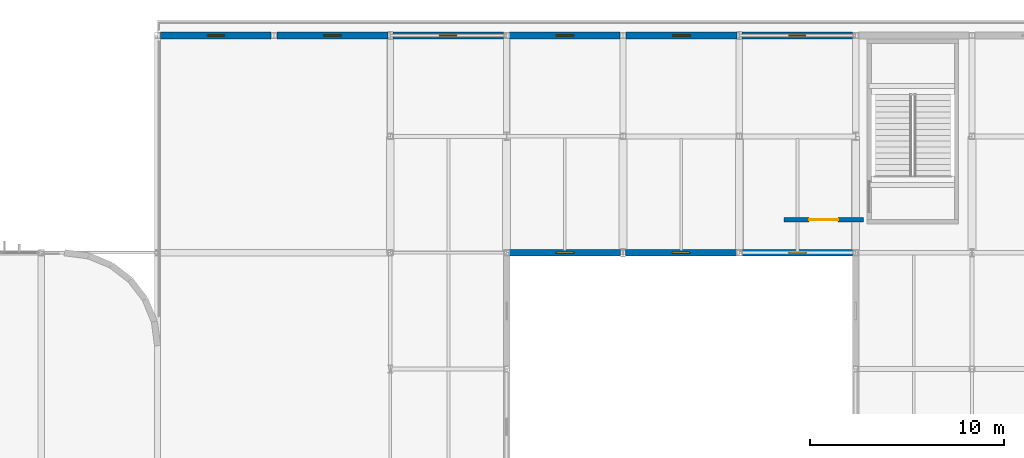
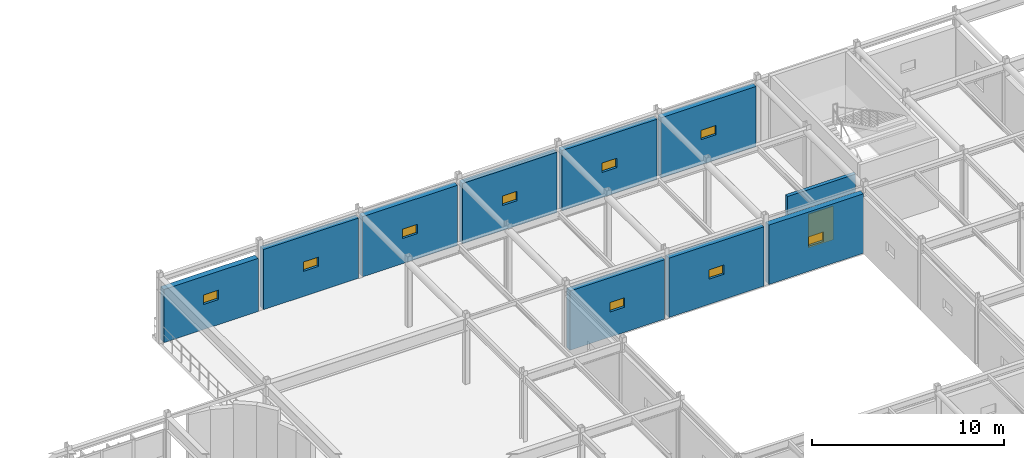
# One storey, part 69 of 96: 10 walls, 9 windows, 1 door, 10 openings.
"""IFC4 building model written with IfcOpenShell, lengths in metres."""

from ifc_helpers import new_model, si_unit, direction, frame, frame_2d, origin, place, context, subcontext, project, spatial, rectangle, extrude, material, layer, layer_set, type_object, element, fill, save


model = new_model("IFC4")

# Units and contexts
model_context = context("Model", 3, precision=1e-05, world=origin(), true_north=direction((0.0, 1.0)))
body_context = subcontext(model_context, "Body", "Model", "MODEL_VIEW")
ifc_project = project(units=[si_unit("LENGTHUNIT", "METRE"), si_unit("AREAUNIT", "SQUARE_METRE"), si_unit("VOLUMEUNIT", "CUBIC_METRE"), si_unit("PLANEANGLEUNIT", "RADIAN"), si_unit("MASSUNIT", "GRAM", prefix="KILO")], contexts=[model_context])

# Site, building, storey
site_placement = place(None, origin())
site = spatial("IfcSite", under=ifc_project, at=site_placement, CompositionType="ELEMENT")
building_placement = place(site_placement, origin())
building = spatial("IfcBuilding", under=site, at=building_placement, Name="Varnakota Square Police Headquarters", CompositionType="ELEMENT")
storey_placement = place(building_placement, frame((0.0, 0.0, 4.800048828125)))
storey = spatial("IfcBuildingStorey", under=building, at=storey_placement, Name="L01", CompositionType="ELEMENT", Elevation=4.800048828125)

# Wall, opening, window
ifc_material_1 = material(Name="Concrete M40", Category="concrete")
ifc_layer_1 = layer(ifc_material_1, 0.340087890625, Name="Concrete M40")
ifc_layer_set_1 = layer_set([ifc_layer_1], Name="Concrete M40")
wall_type_1 = type_object("IfcWallType", Name="WL-EXT-340", PredefinedType="SOLIDWALL", material=ifc_layer_set_1)
wall_1_placement = place(storey_placement, frame((96.154052734375, 110.199951171875, 0.0), z_axis=(0.0, 0.0, 1.0), x_axis=(1.0, 0.0, 0.0)))
wall_1 = element("IfcWall", 1, at=wall_1_placement, inside=storey, type_object=wall_type_1, Name="Exterior wall EW-L01-0690", PredefinedType="SOLIDWALL", context=body_context, shape_type="SweptSolid", body=[
    extrude(rectangle(XDim=5.69189453125, YDim=0.340087890625, at=frame_2d((2.845947265625, 0.0))), origin(), (0.0, 0.0, 1.0), 3.389892578125),
])
opening_1_placement = place(wall_1_placement, frame((2.39599609375, 0.0, 1.60009765625)))
opening_1 = element("IfcOpeningElement", 2, at=opening_1_placement, cuts=wall_1, Name="Opening W13", PredefinedType="OPENING", context=body_context, shape_type="SweptSolid", body=[
    extrude(rectangle(XDim=0.89990234375, YDim=0.60009765625, at=frame_2d((0.449951171875, 0.300048828125))), frame((0.0, 0.179931640625, 0.0), z_axis=(0.0, -1.0, 0.0), x_axis=(1.0, 0.0, 0.0)), (0.0, 0.0, 1.0), 0.360107421875),
])
ifc_material_2 = material(Name="Thermally Broken Aluminium Double-Glazed Window", Category="aluminium")
window_type = type_object("IfcWindowType", Name="WIN-13", PartitioningType="SINGLE_PANEL", PredefinedType="WINDOW", material=ifc_material_2)
window_1_placement = place(opening_1_placement, origin())
window_1 = element("IfcWindow", 3, at=window_1_placement, inside=storey, type_object=window_type, Name="Window WN-L01-0196", OverallHeight=0.60009765625, OverallWidth=0.89990234375, PartitioningType="SINGLE_PANEL", PredefinedType="WINDOW", context=body_context, shape_type="SweptSolid", body=[
    extrude(rectangle(XDim=0.89990234375, YDim=0.60009765625, at=frame_2d((0.449951171875, 0.300048828125))), frame((0.0, 0.030029296875, 0.0), z_axis=(0.0, -1.0, 0.0), x_axis=(1.0, 0.0, 0.0)), (0.0, 0.0, 1.0), 0.06005859375),
])
fill(opening_1, window_1)

wall_2_placement = place(storey_placement, frame((102.154052734375, 110.199951171875, 0.0), z_axis=(0.0, 0.0, 1.0), x_axis=(1.0, 0.0, 0.0)))
wall_2 = element("IfcWall", 4, at=wall_2_placement, inside=storey, type_object=wall_type_1, Name="Exterior wall EW-L01-0691", PredefinedType="SOLIDWALL", context=body_context, shape_type="SweptSolid", body=[
    extrude(rectangle(XDim=5.717041015625, YDim=0.340087890625, at=frame_2d((2.8583984375, 0.0))), origin(), (0.0, 0.0, 1.0), 3.83984375),
])
opening_2_placement = place(wall_2_placement, frame((2.408447265625, 0.0, 1.60009765625)))
opening_2 = element("IfcOpeningElement", 5, at=opening_2_placement, cuts=wall_2, Name="Opening W13", PredefinedType="OPENING", context=body_context, shape_type="SweptSolid", body=[
    extrude(rectangle(XDim=0.89990234375, YDim=0.60009765625, at=frame_2d((0.449951171875, 0.300048828125))), frame((0.0, 0.179931640625, 0.0), z_axis=(0.0, -1.0, 0.0), x_axis=(1.0, 0.0, 0.0)), (0.0, 0.0, 1.0), 0.360107421875),
])
window_2_placement = place(opening_2_placement, origin())
window_2 = element("IfcWindow", 6, at=window_2_placement, inside=storey, type_object=window_type, Name="Window WN-L01-0197", OverallHeight=0.60009765625, OverallWidth=0.89990234375, PartitioningType="SINGLE_PANEL", PredefinedType="WINDOW", context=body_context, shape_type="SweptSolid", body=[
    extrude(rectangle(XDim=0.89990234375, YDim=0.60009765625, at=frame_2d((0.449951171875, 0.300048828125))), frame((0.0, 0.030029296875, 0.0), z_axis=(0.0, -1.0, 0.0), x_axis=(1.0, 0.0, 0.0)), (0.0, 0.0, 1.0), 0.06005859375),
])
fill(opening_2, window_2)

wall_3_placement = place(storey_placement, frame((108.12890625, 110.199951171875, 0.0), z_axis=(0.0, 0.0, 1.0), x_axis=(1.0, 0.0, 0.0)))
wall_3 = element("IfcWall", 7, at=wall_3_placement, inside=storey, type_object=wall_type_1, Name="Exterior wall EW-L01-0692", PredefinedType="SOLIDWALL", context=body_context, shape_type="SweptSolid", body=[
    extrude(rectangle(XDim=5.717041015625, YDim=0.340087890625, at=frame_2d((2.8583984375, 0.0))), origin(), (0.0, 0.0, 1.0), 3.83984375),
])
opening_3_placement = place(wall_3_placement, frame((2.408447265625, 0.0, 1.60009765625)))
opening_3 = element("IfcOpeningElement", 8, at=opening_3_placement, cuts=wall_3, Name="Opening W13", PredefinedType="OPENING", context=body_context, shape_type="SweptSolid", body=[
    extrude(rectangle(XDim=0.89990234375, YDim=0.60009765625, at=frame_2d((0.449951171875, 0.300048828125))), frame((0.0, 0.179931640625, 0.0), z_axis=(0.0, -1.0, 0.0), x_axis=(1.0, 0.0, 0.0)), (0.0, 0.0, 1.0), 0.360107421875),
])
window_3_placement = place(opening_3_placement, origin())
window_3 = element("IfcWindow", 9, at=window_3_placement, inside=storey, type_object=window_type, Name="Window WN-L01-0198", OverallHeight=0.60009765625, OverallWidth=0.89990234375, PartitioningType="SINGLE_PANEL", PredefinedType="WINDOW", context=body_context, shape_type="SweptSolid", body=[
    extrude(rectangle(XDim=0.89990234375, YDim=0.60009765625, at=frame_2d((0.449951171875, 0.300048828125))), frame((0.0, 0.030029296875, 0.0), z_axis=(0.0, -1.0, 0.0), x_axis=(1.0, 0.0, 0.0)), (0.0, 0.0, 1.0), 0.06005859375),
])
fill(opening_3, window_3)

wall_4_placement = place(storey_placement, frame((114.154052734375, 110.199951171875, 0.0), z_axis=(0.0, 0.0, 1.0), x_axis=(1.0, 0.0, 0.0)))
wall_4 = element("IfcWall", 10, at=wall_4_placement, inside=storey, type_object=wall_type_1, Name="Exterior wall EW-L01-0693", PredefinedType="SOLIDWALL", context=body_context, shape_type="SweptSolid", body=[
    extrude(rectangle(XDim=5.69189453125, YDim=0.340087890625, at=frame_2d((2.845947265625, 0.0))), origin(), (0.0, 0.0, 1.0), 3.83984375),
])
opening_4_placement = place(wall_4_placement, frame((2.39599609375, 0.0, 1.60009765625)))
opening_4 = element("IfcOpeningElement", 11, at=opening_4_placement, cuts=wall_4, Name="Opening W13", PredefinedType="OPENING", context=body_context, shape_type="SweptSolid", body=[
    extrude(rectangle(XDim=0.89990234375, YDim=0.60009765625, at=frame_2d((0.449951171875, 0.300048828125))), frame((0.0, 0.179931640625, 0.0), z_axis=(0.0, -1.0, 0.0), x_axis=(1.0, 0.0, 0.0)), (0.0, 0.0, 1.0), 0.360107421875),
])
window_4_placement = place(opening_4_placement, origin())
window_4 = element("IfcWindow", 12, at=window_4_placement, inside=storey, type_object=window_type, Name="Window WN-L01-0199", OverallHeight=0.60009765625, OverallWidth=0.89990234375, PartitioningType="SINGLE_PANEL", PredefinedType="WINDOW", context=body_context, shape_type="SweptSolid", body=[
    extrude(rectangle(XDim=0.89990234375, YDim=0.60009765625, at=frame_2d((0.449951171875, 0.300048828125))), frame((0.0, 0.030029296875, 0.0), z_axis=(0.0, -1.0, 0.0), x_axis=(1.0, 0.0, 0.0)), (0.0, 0.0, 1.0), 0.06005859375),
])
fill(opening_4, window_4)

wall_5_placement = place(storey_placement, frame((120.154052734375, 110.199951171875, 0.0), z_axis=(0.0, 0.0, 1.0), x_axis=(1.0, 0.0, 0.0)))
wall_5 = element("IfcWall", 13, at=wall_5_placement, inside=storey, type_object=wall_type_1, Name="Exterior wall EW-L01-0694", PredefinedType="SOLIDWALL", context=body_context, shape_type="SweptSolid", body=[
    extrude(rectangle(XDim=5.717041015625, YDim=0.340087890625, at=frame_2d((2.8583984375, 0.0))), origin(), (0.0, 0.0, 1.0), 3.83984375),
])
opening_5_placement = place(wall_5_placement, frame((2.408447265625, 0.0, 1.60009765625)))
opening_5 = element("IfcOpeningElement", 14, at=opening_5_placement, cuts=wall_5, Name="Opening W13", PredefinedType="OPENING", context=body_context, shape_type="SweptSolid", body=[
    extrude(rectangle(XDim=0.89990234375, YDim=0.60009765625, at=frame_2d((0.449951171875, 0.300048828125))), frame((0.0, 0.179931640625, 0.0), z_axis=(0.0, -1.0, 0.0), x_axis=(1.0, 0.0, 0.0)), (0.0, 0.0, 1.0), 0.360107421875),
])
window_5_placement = place(opening_5_placement, origin())
window_5 = element("IfcWindow", 15, at=window_5_placement, inside=storey, type_object=window_type, Name="Window WN-L01-0200", OverallHeight=0.60009765625, OverallWidth=0.89990234375, PartitioningType="SINGLE_PANEL", PredefinedType="WINDOW", context=body_context, shape_type="SweptSolid", body=[
    extrude(rectangle(XDim=0.89990234375, YDim=0.60009765625, at=frame_2d((0.449951171875, 0.300048828125))), frame((0.0, 0.030029296875, 0.0), z_axis=(0.0, -1.0, 0.0), x_axis=(1.0, 0.0, 0.0)), (0.0, 0.0, 1.0), 0.06005859375),
])
fill(opening_5, window_5)

wall_6_placement = place(storey_placement, frame((126.12890625, 110.199951171875, 0.0), z_axis=(0.0, 0.0, 1.0), x_axis=(1.0, 0.0, 0.0)))
wall_6 = element("IfcWall", 16, at=wall_6_placement, inside=storey, type_object=wall_type_1, Name="Exterior wall EW-L01-0695", PredefinedType="SOLIDWALL", context=body_context, shape_type="SweptSolid", body=[
    extrude(rectangle(XDim=5.717041015625, YDim=0.340087890625, at=frame_2d((2.8583984375, 0.0))), origin(), (0.0, 0.0, 1.0), 3.83984375),
])
opening_6_placement = place(wall_6_placement, frame((2.408447265625, 0.0, 1.60009765625)))
opening_6 = element("IfcOpeningElement", 17, at=opening_6_placement, cuts=wall_6, Name="Opening W13", PredefinedType="OPENING", context=body_context, shape_type="SweptSolid", body=[
    extrude(rectangle(XDim=0.89990234375, YDim=0.60009765625, at=frame_2d((0.449951171875, 0.300048828125))), frame((0.0, 0.179931640625, 0.0), z_axis=(0.0, -1.0, 0.0), x_axis=(1.0, 0.0, 0.0)), (0.0, 0.0, 1.0), 0.360107421875),
])
window_6_placement = place(opening_6_placement, origin())
window_6 = element("IfcWindow", 18, at=window_6_placement, inside=storey, type_object=window_type, Name="Window WN-L01-0201", OverallHeight=0.60009765625, OverallWidth=0.89990234375, PartitioningType="SINGLE_PANEL", PredefinedType="WINDOW", context=body_context, shape_type="SweptSolid", body=[
    extrude(rectangle(XDim=0.89990234375, YDim=0.60009765625, at=frame_2d((0.449951171875, 0.300048828125))), frame((0.0, 0.030029296875, 0.0), z_axis=(0.0, -1.0, 0.0), x_axis=(1.0, 0.0, 0.0)), (0.0, 0.0, 1.0), 0.06005859375),
])
fill(opening_6, window_6)

wall_7_placement = place(storey_placement, frame((114.154052734375, 99.0, 0.0), z_axis=(0.0, 0.0, 1.0), x_axis=(1.0, 0.0, 0.0)))
wall_7 = element("IfcWall", 19, at=wall_7_placement, inside=storey, type_object=wall_type_1, Name="Exterior wall EW-L01-0714", PredefinedType="SOLIDWALL", context=body_context, shape_type="SweptSolid", body=[
    extrude(rectangle(XDim=5.717041015625, YDim=0.340087890625, at=frame_2d((2.8583984375, 0.0))), origin(), (0.0, 0.0, 1.0), 3.783447265625),
])
opening_7_placement = place(wall_7_placement, frame((2.408447265625, 0.0, 1.60009765625)))
opening_7 = element("IfcOpeningElement", 20, at=opening_7_placement, cuts=wall_7, Name="Opening W13", PredefinedType="OPENING", context=body_context, shape_type="SweptSolid", body=[
    extrude(rectangle(XDim=0.89990234375, YDim=0.60009765625, at=frame_2d((0.449951171875, 0.300048828125))), frame((0.0, 0.179931640625, 0.0), z_axis=(0.0, -1.0, 0.0), x_axis=(1.0, 0.0, 0.0)), (0.0, 0.0, 1.0), 0.360107421875),
])
window_7_placement = place(opening_7_placement, origin())
window_7 = element("IfcWindow", 21, at=window_7_placement, inside=storey, type_object=window_type, Name="Window WN-L01-0217", OverallHeight=0.60009765625, OverallWidth=0.89990234375, PartitioningType="SINGLE_PANEL", PredefinedType="WINDOW", context=body_context, shape_type="SweptSolid", body=[
    extrude(rectangle(XDim=0.89990234375, YDim=0.60009765625, at=frame_2d((0.449951171875, 0.300048828125))), frame((0.0, 0.030029296875, 0.0), z_axis=(0.0, -1.0, 0.0), x_axis=(1.0, 0.0, 0.0)), (0.0, 0.0, 1.0), 0.06005859375),
])
fill(opening_7, window_7)

wall_8_placement = place(storey_placement, frame((120.12890625, 99.0, 0.0), z_axis=(0.0, 0.0, 1.0), x_axis=(1.0, 0.0, 0.0)))
wall_8 = element("IfcWall", 22, at=wall_8_placement, inside=storey, type_object=wall_type_1, Name="Exterior wall EW-L01-0716", PredefinedType="SOLIDWALL", context=body_context, shape_type="SweptSolid", body=[
    extrude(rectangle(XDim=5.717041015625, YDim=0.340087890625, at=frame_2d((2.8583984375, 0.0))), origin(), (0.0, 0.0, 1.0), 3.783447265625),
])
opening_8_placement = place(wall_8_placement, frame((2.408447265625, 0.0, 1.60009765625)))
opening_8 = element("IfcOpeningElement", 23, at=opening_8_placement, cuts=wall_8, Name="Opening W13", PredefinedType="OPENING", context=body_context, shape_type="SweptSolid", body=[
    extrude(rectangle(XDim=0.89990234375, YDim=0.60009765625, at=frame_2d((0.449951171875, 0.300048828125))), frame((0.0, 0.179931640625, 0.0), z_axis=(0.0, -1.0, 0.0), x_axis=(1.0, 0.0, 0.0)), (0.0, 0.0, 1.0), 0.360107421875),
])
window_8_placement = place(opening_8_placement, origin())
window_8 = element("IfcWindow", 24, at=window_8_placement, inside=storey, type_object=window_type, Name="Window WN-L01-0219", OverallHeight=0.60009765625, OverallWidth=0.89990234375, PartitioningType="SINGLE_PANEL", PredefinedType="WINDOW", context=body_context, shape_type="SweptSolid", body=[
    extrude(rectangle(XDim=0.89990234375, YDim=0.60009765625, at=frame_2d((0.449951171875, 0.300048828125))), frame((0.0, 0.030029296875, 0.0), z_axis=(0.0, -1.0, 0.0), x_axis=(1.0, 0.0, 0.0)), (0.0, 0.0, 1.0), 0.06005859375),
])
fill(opening_8, window_8)

wall_9_placement = place(storey_placement, frame((126.154052734375, 99.0, 0.0), z_axis=(0.0, 0.0, 1.0), x_axis=(1.0, 0.0, 0.0)))
wall_9 = element("IfcWall", 25, at=wall_9_placement, inside=storey, type_object=wall_type_1, Name="Exterior wall EW-L01-0718", PredefinedType="SOLIDWALL", context=body_context, shape_type="SweptSolid", body=[
    extrude(rectangle(XDim=5.69189453125, YDim=0.340087890625, at=frame_2d((2.845947265625, 0.0))), origin(), (0.0, 0.0, 1.0), 3.783447265625),
])
opening_9_placement = place(wall_9_placement, frame((2.39599609375, 0.0, 1.60009765625)))
opening_9 = element("IfcOpeningElement", 26, at=opening_9_placement, cuts=wall_9, Name="Opening W13", PredefinedType="OPENING", context=body_context, shape_type="SweptSolid", body=[
    extrude(rectangle(XDim=0.89990234375, YDim=0.60009765625, at=frame_2d((0.449951171875, 0.300048828125))), frame((0.0, 0.179931640625, 0.0), z_axis=(0.0, -1.0, 0.0), x_axis=(1.0, 0.0, 0.0)), (0.0, 0.0, 1.0), 0.360107421875),
])
window_9_placement = place(opening_9_placement, origin())
window_9 = element("IfcWindow", 27, at=window_9_placement, inside=storey, type_object=window_type, Name="Window WN-L01-0221", OverallHeight=0.60009765625, OverallWidth=0.89990234375, PartitioningType="SINGLE_PANEL", PredefinedType="WINDOW", context=body_context, shape_type="SweptSolid", body=[
    extrude(rectangle(XDim=0.89990234375, YDim=0.60009765625, at=frame_2d((0.449951171875, 0.300048828125))), frame((0.0, 0.030029296875, 0.0), z_axis=(0.0, -1.0, 0.0), x_axis=(1.0, 0.0, 0.0)), (0.0, 0.0, 1.0), 0.06005859375),
])
fill(opening_9, window_9)

# Wall, opening, door
ifc_layer_2 = layer(ifc_material_1, 0.215087890625, Name="Concrete M40")
ifc_layer_set_2 = layer_set([ifc_layer_2], Name="Concrete M40")
wall_type_2 = type_object("IfcWallType", Name="WL-PRT-215F", PredefinedType="PARTITIONING", material=ifc_layer_set_2)
wall_10_placement = place(storey_placement, frame((128.300048828125, 100.699951171875, 0.0), z_axis=(0.0, 0.0, 1.0), x_axis=(1.0, 0.0, 0.0)))
wall_10 = element("IfcWall", 28, at=wall_10_placement, inside=storey, type_object=wall_type_2, Name="Core C8 lobby fire partition L01", PredefinedType="PARTITIONING", context=body_context, shape_type="SweptSolid", body=[
    extrude(rectangle(XDim=4.099853515625, YDim=0.215087890625, at=frame_2d((2.0498046875, 0.0))), origin(), (0.0, 0.0, 1.0), 3.783447265625),
])
opening_10_placement = place(wall_10_placement, frame((1.300048828125, 0.0, 0.0)))
opening_10 = element("IfcOpeningElement", 29, at=opening_10_placement, cuts=wall_10, Name="Opening FD120", PredefinedType="OPENING", context=body_context, shape_type="SweptSolid", body=[
    extrude(rectangle(XDim=1.5, YDim=2.14990234375, at=frame_2d((0.75, 1.074951171875))), frame((0.0, 0.117431640625, 0.0), z_axis=(0.0, -1.0, 0.0), x_axis=(1.0, 0.0, 0.0)), (0.0, 0.0, 1.0), 0.235107421875),
])
ifc_material_3 = material(Name="Smoke-Sealed Galvanised Acoustic Steel", Category="steel")
door_type = type_object("IfcDoorType", Name="DR-FFL-150", OperationType="NOTDEFINED", PredefinedType="DOOR", material=ifc_material_3)
door_placement = place(opening_10_placement, origin())
door = element("IfcDoor", 30, at=door_placement, inside=storey, type_object=door_type, Name="Core lobby smoke door FD120", OperationType="DOUBLE_DOOR_SINGLE_SWING", OverallHeight=2.14990234375, OverallWidth=1.5, PredefinedType="DOOR", context=body_context, shape_type="SweptSolid", body=[
    extrude(rectangle(XDim=1.5, YDim=2.14990234375, at=frame_2d((0.75, 1.074951171875))), frame((0.0, 0.02490234375, 0.0), z_axis=(0.0, -1.0, 0.0), x_axis=(1.0, 0.0, 0.0)), (0.0, 0.0, 1.0), 0.050048828125),
])
fill(opening_10, door)

save(model, "model.ifc")
